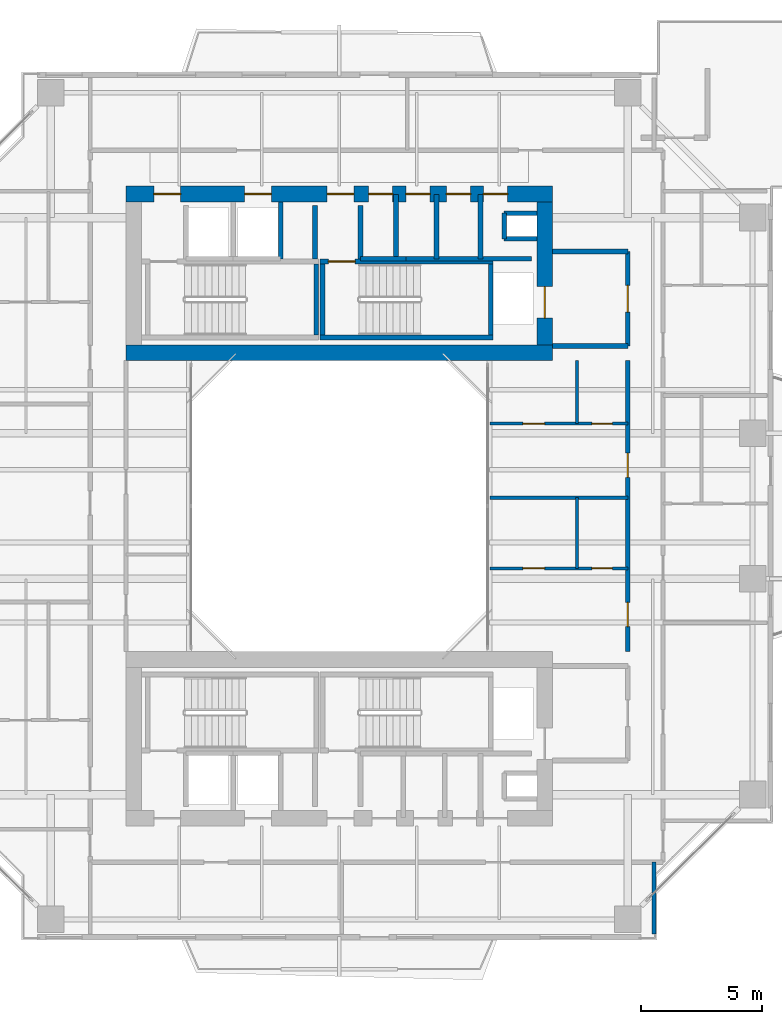
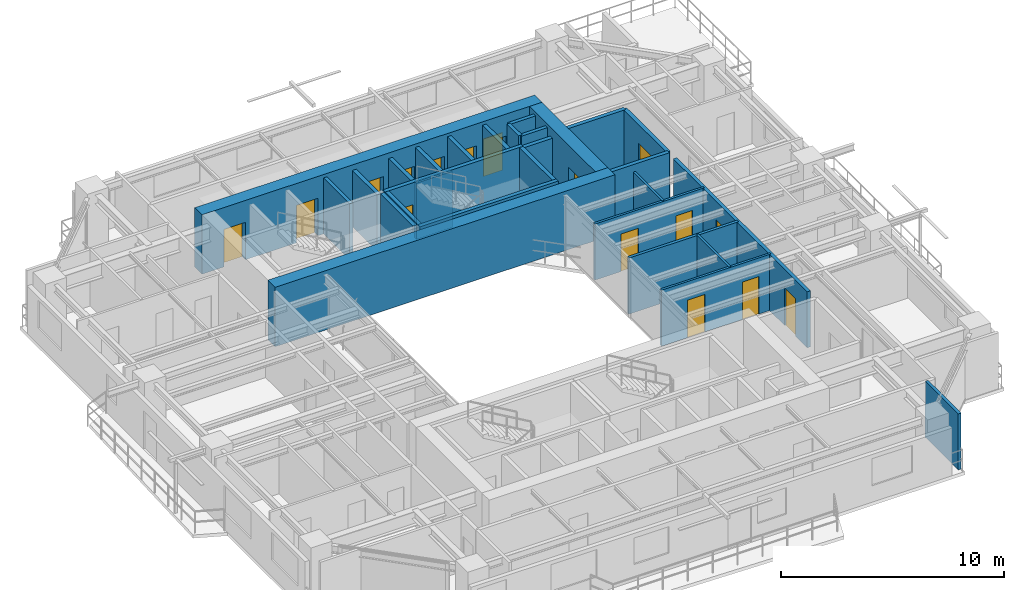
# One storey, part 12 of 17: 29 walls, 16 doors, 16 openings.
"""IFC4 building model written with IfcOpenShell, lengths in metres."""

from ifc_helpers import new_model, si_unit, direction, frame, frame_2d, origin, place, context, subcontext, project, spatial, rectangle, extrude, source, transform, mapped, material, layer, layer_set, type_object, element, fill, save


model = new_model("IFC4")

# Units and contexts
model_context = context("Model", 3, precision=1e-05, world=origin(), true_north=direction((0.0, 1.0)))
body_context = subcontext(model_context, "Body", "Model", "MODEL_VIEW")
ifc_project = project(units=[si_unit("LENGTHUNIT", "METRE"), si_unit("AREAUNIT", "SQUARE_METRE"), si_unit("VOLUMEUNIT", "CUBIC_METRE"), si_unit("PLANEANGLEUNIT", "RADIAN"), si_unit("MASSUNIT", "GRAM", prefix="KILO"), si_unit("THERMODYNAMICTEMPERATUREUNIT", "KELVIN"), si_unit("POWERUNIT", "WATT")], contexts=[model_context])

# Site, building, storey
site_placement = place(None, origin())
site = spatial("IfcSite", under=ifc_project, at=site_placement, CompositionType="ELEMENT")
building_placement = place(site_placement, origin())
building = spatial("IfcBuilding", under=site, at=building_placement, Name="Qiaomeng Ring Towers", CompositionType="ELEMENT")
storey_placement = place(building_placement, frame((0.0, 0.0, 123.0)))
storey = spatial("IfcBuildingStorey", under=building, at=storey_placement, Name="L35", CompositionType="ELEMENT", Elevation=123.0)

# Walls
ifc_material_1 = material(Name="Autoclaved aerated concrete block", Category="concrete")
ifc_layer_1 = layer(ifc_material_1, 0.199951171875, Name="Autoclaved aerated concrete block")
ifc_layer_set_1 = layer_set([ifc_layer_1], Name="Autoclaved aerated concrete block")
wall_type_1 = type_object("IfcWallType", Name="ARC-WL-PW1", PredefinedType="PARTITIONING", material=ifc_layer_set_1)
for number, where, z_axis, x_axis, name in (
    (1, (27.800048828125, 29.60009765625, 0.0), (0.0, 0.0, 1.0), (1.0, 0.0, 0.0), "L35 Interior Wall PW1"),
    (2, (27.800048828125, 33.5, 0.0), (0.0, 0.0, 1.0), (1.0, 0.0, 0.0), "L35 Interior Wall PW1"),
):
    element("IfcWall", number, at=place(storey_placement, frame(where, z_axis=z_axis, x_axis=x_axis)), inside=storey, type_object=wall_type_1, Name=name, PredefinedType="PARTITIONING", context=body_context, shape_type="SweptSolid", body=[
        extrude(rectangle(XDim=3.099853515625, YDim=0.199951171875, at=frame_2d((1.5498046875, 0.0))), origin(), (0.0, 0.0, 1.0), 3.070068359375),
    ])

# Wall, opening, door
wall_1_placement = place(storey_placement, frame((30.89990234375, 29.60009765625, 0.0), z_axis=(0.0, 0.0, 1.0), x_axis=(0.0, 1.0, 0.0)))
wall_1 = element("IfcWall", 3, at=wall_1_placement, inside=storey, type_object=wall_type_1, Name="L35 Interior Wall PW1", PredefinedType="PARTITIONING", context=body_context, shape_type="SweptSolid", body=[
    extrude(rectangle(XDim=3.89990234375, YDim=0.199951171875, at=frame_2d((1.949951171875, 0.0))), origin(), (0.0, 0.0, 1.0), 3.070068359375),
])
opening_1_placement = place(wall_1_placement, frame((1.39990234375, 0.0, 0.0)))
opening_1 = element("IfcOpeningElement", 4, at=opening_1_placement, cuts=wall_1, Name="Opening FD3", PredefinedType="OPENING", context=body_context, shape_type="SweptSolid", body=[
    extrude(rectangle(XDim=1.10009765625, YDim=2.050048828125, at=frame_2d((0.550048828125, 1.02490234375))), frame((0.0, 0.10986328125, 0.0), z_axis=(0.0, -1.0, 0.0), x_axis=(1.0, 0.0, 0.0)), (0.0, 0.0, 1.0), 0.219970703125),
])
ifc_material_2 = material(Name="Galvanised steel", Category="steel")
door_type_1 = type_object("IfcDoorType", Name="ARC-DR-FD3", OperationType="NOTDEFINED", PredefinedType="DOOR", material=ifc_material_2)
shared_shape_1 = source(origin(), body_context, "Body", "SweptSolid", [
    extrude(rectangle(XDim=1.10009765625, YDim=2.050048828125, at=frame_2d((0.550048828125, 1.02490234375))), frame((0.0, 0.02490234375, 0.0), z_axis=(0.0, -1.0, 0.0), x_axis=(1.0, 0.0, 0.0)), (0.0, 0.0, 1.0), 0.050048828125),
])
door_1_placement = place(opening_1_placement, origin())
door_1 = element("IfcDoor", 5, at=door_1_placement, inside=storey, type_object=door_type_1, Name="L35 North FF Lobby Door", OperationType="SINGLE_SWING_RIGHT", OverallHeight=2.050048828125, OverallWidth=1.10009765625, PredefinedType="DOOR", context=body_context, shape_type="MappedRepresentation", body=[
    mapped(shared_shape_1, transform((0.0, 0.0, 0.0), x_axis=(1.0, 0.0, 0.0), y_axis=(0.0, 1.0, 0.0), z_axis=(0.0, 0.0, 1.0), scale=1.0)),
])
fill(opening_1, door_1)

# Walls
for number, where, z_axis, x_axis, name in (
    (6, (18.0, 33.18994140625, 0.0), (0.0, 0.0, 1.0), (0.0, 1.0, 0.0), "L35 Interior Wall PW1"),
    (7, (19.8798828125, 33.18994140625, 0.0), (0.0, 0.0, 1.0), (0.0, 1.0, 0.0), "L35 Interior Wall PW1"),
):
    element("IfcWall", number, at=place(storey_placement, frame(where, z_axis=z_axis, x_axis=x_axis)), inside=storey, type_object=wall_type_1, Name=name, PredefinedType="PARTITIONING", context=body_context, shape_type="SweptSolid", body=[
        extrude(rectangle(XDim=2.2099609375, YDim=0.199951171875, at=frame_2d((1.10498046875, 0.0))), origin(), (0.0, 0.0, 1.0), 3.070068359375),
    ])
wall_2_placement = place(storey_placement, frame((24.820068359375, 33.199951171875, 0.0), z_axis=(0.0, 0.0, 1.0), x_axis=(0.0, 1.0, 0.0)))
element("IfcWall", 8, at=wall_2_placement, inside=storey, type_object=wall_type_1, Name="L35 Interior Wall PW1", PredefinedType="PARTITIONING", context=body_context, shape_type="SweptSolid", body=[
    extrude(rectangle(XDim=2.650146484375, YDim=0.199951171875, at=frame_2d((1.3251953125, 0.0))), origin(), (0.0, 0.0, 1.0), 3.070068359375),
])
wall_3_placement = place(storey_placement, frame((19.8798828125, 33.199951171875, 0.0), z_axis=(0.0, 0.0, 1.0), x_axis=(1.0, 0.0, 0.0)))
element("IfcWall", 9, at=wall_3_placement, inside=storey, type_object=wall_type_1, Name="L35 Interior Wall PW1", PredefinedType="PARTITIONING", context=body_context, shape_type="SweptSolid", body=[
    extrude(rectangle(XDim=1.8701171875, YDim=0.199951171875, at=frame_2d((0.93505859375, 0.0))), origin(), (0.0, 0.0, 1.0), 3.070068359375),
])
for number, where, z_axis, x_axis, name in (
    (10, (21.340087890625, 33.199951171875, 0.0), (0.0, 0.0, 1.0), (0.0, 1.0, 0.0), "L35 Interior Wall PW1"),
    (11, (23.010009765625, 33.199951171875, 0.0), (0.0, 0.0, 1.0), (0.0, 1.0, 0.0), "L35 Interior Wall PW1"),
):
    element("IfcWall", number, at=place(storey_placement, frame(where, z_axis=z_axis, x_axis=x_axis)), inside=storey, type_object=wall_type_1, Name=name, PredefinedType="PARTITIONING", context=body_context, shape_type="SweptSolid", body=[
        extrude(rectangle(XDim=2.650146484375, YDim=0.199951171875, at=frame_2d((1.3251953125, 0.0))), origin(), (0.0, 0.0, 1.0), 3.070068359375),
    ])
wall_4_placement = place(storey_placement, frame((21.75, 33.199951171875, 0.0), z_axis=(0.0, 0.0, 1.0), x_axis=(1.0, 0.0, 0.0)))
element("IfcWall", 12, at=wall_4_placement, inside=storey, type_object=wall_type_1, Name="L35 Interior Wall PW1", PredefinedType="PARTITIONING", context=body_context, shape_type="SweptSolid", body=[
    extrude(rectangle(XDim=5.169921875, YDim=0.199951171875, at=frame_2d((2.5849609375, 0.0))), origin(), (0.0, 0.0, 1.0), 3.070068359375),
])

# Wall, openings, doors
ifc_layer_2 = layer(ifc_material_1, 0.179931640625, Name="Autoclaved aerated concrete block")
ifc_layer_set_2 = layer_set([ifc_layer_2], Name="Autoclaved aerated concrete block")
wall_type_2 = type_object("IfcWallType", Name="ARC-WL-PW2", PredefinedType="PARTITIONING", material=ifc_layer_set_2)
wall_5_placement = place(storey_placement, frame((30.89990234375, 17.0, 0.0), z_axis=(0.0, 0.0, 1.0), x_axis=(0.0, 1.0, 0.0)))
wall_5 = element("IfcWall", 13, at=wall_5_placement, inside=storey, type_object=wall_type_2, Name="L35 Interior Wall PW2", PredefinedType="PARTITIONING", context=body_context, shape_type="SweptSolid", body=[
    extrude(rectangle(XDim=12.0, YDim=0.179931640625, at=frame_2d((6.0, 0.0))), origin(), (0.0, 0.0, 1.0), 3.070068359375),
])
opening_2_placement = place(wall_5_placement, frame((1.02490234375, 0.0, 0.0)))
opening_2 = element("IfcOpeningElement", 14, at=opening_2_placement, cuts=wall_5, Name="Opening FD4", PredefinedType="OPENING", context=body_context, shape_type="SweptSolid", body=[
    extrude(rectangle(XDim=1.0, YDim=2.050048828125, at=frame_2d((0.5, 1.02490234375))), frame((0.0, 0.099853515625, 0.0), z_axis=(0.0, -1.0, 0.0), x_axis=(1.0, 0.0, 0.0)), (0.0, 0.0, 1.0), 0.199951171875),
])
opening_3_placement = place(wall_5_placement, frame((7.18505859375, 0.0, 0.0)))
opening_3 = element("IfcOpeningElement", 15, at=opening_3_placement, cuts=wall_5, Name="Opening FD4", PredefinedType="OPENING", context=body_context, shape_type="SweptSolid", body=[
    extrude(rectangle(XDim=1.0, YDim=2.050048828125, at=frame_2d((0.5, 1.02490234375))), frame((0.0, 0.099853515625, 0.0), z_axis=(0.0, -1.0, 0.0), x_axis=(1.0, 0.0, 0.0)), (0.0, 0.0, 1.0), 0.199951171875),
])
ifc_material_3 = material(Name="Engineered fire-rated oak timber", Category="wood")
door_type_2 = type_object("IfcDoorType", Name="ARC-DR-FD4", OperationType="NOTDEFINED", PredefinedType="DOOR", material=ifc_material_3)
shared_shape_2 = source(origin(), body_context, "Body", "SweptSolid", [
    extrude(rectangle(XDim=1.0, YDim=2.050048828125, at=frame_2d((0.5, 1.02490234375))), frame((0.0, 0.02490234375, 0.0), z_axis=(0.0, -1.0, 0.0), x_axis=(1.0, 0.0, 0.0)), (0.0, 0.0, 1.0), 0.050048828125),
])
door_2_placement = place(opening_2_placement, origin())
door_2 = element("IfcDoor", 16, at=door_2_placement, inside=storey, type_object=door_type_2, Name="L35 Door FD4", OperationType="SINGLE_SWING_RIGHT", OverallHeight=2.050048828125, OverallWidth=1.0, PredefinedType="DOOR", context=body_context, shape_type="MappedRepresentation", body=[
    mapped(shared_shape_2, transform((0.0, 0.0, 0.0), x_axis=(1.0, 0.0, 0.0), y_axis=(0.0, 1.0, 0.0), z_axis=(0.0, 0.0, 1.0), scale=1.0)),
])
fill(opening_2, door_2)
door_3_placement = place(opening_3_placement, origin())
door_3 = element("IfcDoor", 17, at=door_3_placement, inside=storey, type_object=door_type_2, Name="L35 Door FD4", OperationType="SINGLE_SWING_LEFT", OverallHeight=2.050048828125, OverallWidth=1.0, PredefinedType="DOOR", context=body_context, shape_type="MappedRepresentation", body=[
    mapped(shared_shape_2, transform((0.0, 0.0, 0.0), x_axis=(1.0, 0.0, 0.0), y_axis=(0.0, 1.0, 0.0), z_axis=(0.0, 0.0, 1.0), scale=1.0)),
])
fill(opening_3, door_3)

# Walls
ifc_material_4 = material(Name="Gypsum fireboard steel-stud partition", Category="steel")
ifc_layer_3 = layer(ifc_material_4, 0.14990234375, Name="Gypsum fireboard steel-stud partition")
ifc_layer_set_3 = layer_set([ifc_layer_3], Name="Gypsum fireboard steel-stud partition")
wall_type_3 = type_object("IfcWallType", Name="ARC-WL-PW3", PredefinedType="PARTITIONING", material=ifc_layer_set_3)
wall_6_placement = place(storey_placement, frame((31.97998046875, 5.35009765625, 0.0), z_axis=(0.0, 0.0, 1.0), x_axis=(0.0, 1.0, 0.0)))
element("IfcWall", 18, at=wall_6_placement, inside=storey, type_object=wall_type_3, Name="L35 Interior Wall PW3", PredefinedType="PARTITIONING", context=body_context, shape_type="SweptSolid", body=[
    extrude(rectangle(XDim=2.9599609375, YDim=0.14990234375, at=frame_2d((1.47998046875, 0.0))), origin(), (0.0, 0.0, 1.0), 3.070068359375),
])
wall_7_placement = place(storey_placement, frame((25.219970703125, 23.35009765625, 0.0), z_axis=(0.0, 0.0, 1.0), x_axis=(1.0, 0.0, 0.0)))
element("IfcWall", 19, at=wall_7_placement, inside=storey, type_object=wall_type_3, Name="L35 Interior Wall PW3", PredefinedType="PARTITIONING", context=body_context, shape_type="SweptSolid", body=[
    extrude(rectangle(XDim=5.679931640625, YDim=0.14990234375, at=frame_2d((2.83984375, 0.0))), origin(), (0.0, 0.0, 1.0), 3.070068359375),
])

# Wall, openings, doors
ifc_material_5 = material(Name="Moisture-resistant gypsum steel-stud partition", Category="steel")
ifc_layer_4 = layer(ifc_material_5, 0.1201171875, Name="Moisture-resistant gypsum steel-stud partition")
ifc_layer_set_4 = layer_set([ifc_layer_4], Name="Moisture-resistant gypsum steel-stud partition")
wall_type_4 = type_object("IfcWallType", Name="ARC-WL-PW4", PredefinedType="PLUMBINGWALL", material=ifc_layer_set_4)
wall_8_placement = place(storey_placement, frame((25.219970703125, 20.429931640625, 0.0), z_axis=(0.0, 0.0, 1.0), x_axis=(1.0, 0.0, 0.0)))
wall_8 = element("IfcWall", 20, at=wall_8_placement, inside=storey, type_object=wall_type_4, Name="L35 Interior Wall PW4", PredefinedType="PLUMBINGWALL", context=body_context, shape_type="SweptSolid", body=[
    extrude(rectangle(XDim=5.679931640625, YDim=0.1201171875, at=frame_2d((2.83984375, 0.0))), origin(), (0.0, 0.0, 1.0), 3.070068359375),
])
opening_4_placement = place(wall_8_placement, frame((1.35009765625, 0.0, 0.0)))
opening_4 = element("IfcOpeningElement", 21, at=opening_4_placement, cuts=wall_8, Name="Opening ID1", PredefinedType="OPENING", context=body_context, shape_type="SweptSolid", body=[
    extrude(rectangle(XDim=0.89990234375, YDim=2.050048828125, at=frame_2d((0.449951171875, 1.02490234375))), frame((0.0, 0.070068359375, 0.0), z_axis=(0.0, -1.0, 0.0), x_axis=(1.0, 0.0, 0.0)), (0.0, 0.0, 1.0), 0.14013671875),
])
opening_5_placement = place(wall_8_placement, frame((4.195068359375, 0.0, 0.0)))
opening_5 = element("IfcOpeningElement", 22, at=opening_5_placement, cuts=wall_8, Name="Opening ID2", PredefinedType="OPENING", context=body_context, shape_type="SweptSolid", body=[
    extrude(rectangle(XDim=0.85009765625, YDim=2.050048828125, at=frame_2d((0.425048828125, 1.02490234375))), frame((0.0, 0.070068359375, 0.0), z_axis=(0.0, -1.0, 0.0), x_axis=(1.0, 0.0, 0.0)), (0.0, 0.0, 1.0), 0.14013671875),
])
ifc_material_6 = material(Name="Moisture-resistant engineered timber", Category="wood")
door_type_3 = type_object("IfcDoorType", Name="ARC-DR-ID2", OperationType="NOTDEFINED", PredefinedType="DOOR", material=ifc_material_6)
shared_shape_3 = source(origin(), body_context, "Body", "SweptSolid", [
    extrude(rectangle(XDim=0.85009765625, YDim=2.050048828125, at=frame_2d((0.425048828125, 1.02490234375))), frame((0.0, 0.02490234375, 0.0), z_axis=(0.0, -1.0, 0.0), x_axis=(1.0, 0.0, 0.0)), (0.0, 0.0, 1.0), 0.050048828125),
])
door_4_placement = place(opening_5_placement, origin())
door_4 = element("IfcDoor", 23, at=door_4_placement, inside=storey, type_object=door_type_3, Name="L35 Door ID2", OperationType="SINGLE_SWING_LEFT", OverallHeight=2.050048828125, OverallWidth=0.85009765625, PredefinedType="DOOR", context=body_context, shape_type="MappedRepresentation", body=[
    mapped(shared_shape_3, transform((0.0, 0.0, 0.0), x_axis=(1.0, 0.0, 0.0), y_axis=(0.0, 1.0, 0.0), z_axis=(0.0, 0.0, 1.0), scale=1.0)),
])
fill(opening_5, door_4)
ifc_material_7 = material(Name="Engineered oak timber", Category="wood")
door_type_4 = type_object("IfcDoorType", Name="ARC-DR-ID1", OperationType="NOTDEFINED", PredefinedType="DOOR", material=ifc_material_7)
shared_shape_4 = source(origin(), body_context, "Body", "SweptSolid", [
    extrude(rectangle(XDim=0.89990234375, YDim=2.050048828125, at=frame_2d((0.449951171875, 1.02490234375))), frame((0.0, 0.02490234375, 0.0), z_axis=(0.0, -1.0, 0.0), x_axis=(1.0, 0.0, 0.0)), (0.0, 0.0, 1.0), 0.050048828125),
])
door_5_placement = place(opening_4_placement, origin())
door_5 = element("IfcDoor", 24, at=door_5_placement, inside=storey, type_object=door_type_4, Name="L35 Door ID1", OperationType="SINGLE_SWING_RIGHT", OverallHeight=2.050048828125, OverallWidth=0.89990234375, PredefinedType="DOOR", context=body_context, shape_type="MappedRepresentation", body=[
    mapped(shared_shape_4, transform((0.0, 0.0, 0.0), x_axis=(1.0, 0.0, 0.0), y_axis=(0.0, 1.0, 0.0), z_axis=(0.0, 0.0, 1.0), scale=1.0)),
])
fill(opening_4, door_5)

# Wall
wall_9_placement = place(storey_placement, frame((28.800048828125, 20.429931640625, 0.0), z_axis=(0.0, 0.0, 1.0), x_axis=(0.0, 1.0, 0.0)))
element("IfcWall", 25, at=wall_9_placement, inside=storey, type_object=wall_type_4, Name="L35 Interior Wall PW4", PredefinedType="PLUMBINGWALL", context=body_context, shape_type="SweptSolid", body=[
    extrude(rectangle(XDim=2.920166015625, YDim=0.1201171875, at=frame_2d((1.4599609375, 0.0))), origin(), (0.0, 0.0, 1.0), 3.070068359375),
])

# Wall, openings, doors
wall_10_placement = place(storey_placement, frame((25.219970703125, 26.39990234375, 0.0), z_axis=(0.0, 0.0, 1.0), x_axis=(1.0, 0.0, 0.0)))
wall_10 = element("IfcWall", 26, at=wall_10_placement, inside=storey, type_object=wall_type_4, Name="L35 Interior Wall PW4", PredefinedType="PLUMBINGWALL", context=body_context, shape_type="SweptSolid", body=[
    extrude(rectangle(XDim=5.679931640625, YDim=0.1201171875, at=frame_2d((2.83984375, 0.0))), origin(), (0.0, 0.0, 1.0), 3.070068359375),
])
opening_6_placement = place(wall_10_placement, frame((1.35009765625, 0.0, 0.0)))
opening_6 = element("IfcOpeningElement", 27, at=opening_6_placement, cuts=wall_10, Name="Opening ID1", PredefinedType="OPENING", context=body_context, shape_type="SweptSolid", body=[
    extrude(rectangle(XDim=0.89990234375, YDim=2.050048828125, at=frame_2d((0.449951171875, 1.02490234375))), frame((0.0, 0.070068359375, 0.0), z_axis=(0.0, -1.0, 0.0), x_axis=(1.0, 0.0, 0.0)), (0.0, 0.0, 1.0), 0.14013671875),
])
opening_7_placement = place(wall_10_placement, frame((4.195068359375, 0.0, 0.0)))
opening_7 = element("IfcOpeningElement", 28, at=opening_7_placement, cuts=wall_10, Name="Opening ID2", PredefinedType="OPENING", context=body_context, shape_type="SweptSolid", body=[
    extrude(rectangle(XDim=0.85009765625, YDim=2.050048828125, at=frame_2d((0.425048828125, 1.02490234375))), frame((0.0, 0.070068359375, 0.0), z_axis=(0.0, -1.0, 0.0), x_axis=(1.0, 0.0, 0.0)), (0.0, 0.0, 1.0), 0.14013671875),
])
door_6_placement = place(opening_7_placement, origin())
door_6 = element("IfcDoor", 29, at=door_6_placement, inside=storey, type_object=door_type_3, Name="L35 Door ID2", OperationType="SINGLE_SWING_LEFT", OverallHeight=2.050048828125, OverallWidth=0.85009765625, PredefinedType="DOOR", context=body_context, shape_type="MappedRepresentation", body=[
    mapped(shared_shape_3, transform((0.0, 0.0, 0.0), x_axis=(1.0, 0.0, 0.0), y_axis=(0.0, 1.0, 0.0), z_axis=(0.0, 0.0, 1.0), scale=1.0)),
])
fill(opening_7, door_6)
door_7_placement = place(opening_6_placement, origin())
door_7 = element("IfcDoor", 30, at=door_7_placement, inside=storey, type_object=door_type_4, Name="L35 Door ID1", OperationType="SINGLE_SWING_RIGHT", OverallHeight=2.050048828125, OverallWidth=0.89990234375, PredefinedType="DOOR", context=body_context, shape_type="MappedRepresentation", body=[
    mapped(shared_shape_4, transform((0.0, 0.0, 0.0), x_axis=(1.0, 0.0, 0.0), y_axis=(0.0, 1.0, 0.0), z_axis=(0.0, 0.0, 1.0), scale=1.0)),
])
fill(opening_6, door_7)

# Walls
wall_11_placement = place(storey_placement, frame((28.800048828125, 26.39990234375, 0.0), z_axis=(0.0, 0.0, 1.0), x_axis=(0.0, 1.0, 0.0)))
element("IfcWall", 31, at=wall_11_placement, inside=storey, type_object=wall_type_4, Name="L35 Interior Wall PW4", PredefinedType="PLUMBINGWALL", context=body_context, shape_type="SweptSolid", body=[
    extrude(rectangle(XDim=2.60009765625, YDim=0.1201171875, at=frame_2d((1.300048828125, 0.0))), origin(), (0.0, 0.0, 1.0), 3.070068359375),
])
ifc_material_8 = material(Name="Concrete C40", Category="concrete")
ifc_layer_5 = layer(ifc_material_8, 0.199951171875, Name="Concrete C40")
ifc_layer_set_5 = layer_set([ifc_layer_5], Name="Concrete C40")
wall_type_5 = type_object("IfcWallType", Name="STR-WL-STSHAFT", PredefinedType="SHEAR", material=ifc_layer_set_5)
wall_12_placement = place(storey_placement, frame((25.800048828125, 34.02001953125, 0.0), z_axis=(0.0, 0.0, 1.0), x_axis=(0.0, 1.0, 0.0)))
element("IfcWall", 32, at=wall_12_placement, inside=storey, type_object=wall_type_5, Name="L35 Riser RSR1 West Shaft Wall N", PredefinedType="SHEAR", context=body_context, shape_type="SweptSolid", body=[
    extrude(rectangle(XDim=1.06005859375, YDim=0.179931640625, at=frame_2d((0.530029296875, 0.0))), origin(), (0.0, 0.0, 1.0), 3.070068359375),
])
for number, where, z_axis, x_axis, name in (
    (33, (25.800048828125, 35.080078125, 0.0), (0.0, 0.0, 1.0), (1.0, 0.0, 0.0), "L35 Riser RSR1 North Shaft Wall N"),
    (34, (25.800048828125, 34.02001953125, 0.0), (0.0, 0.0, 1.0), (1.0, 0.0, 0.0), "L35 Riser RSR1 South Shaft Wall N"),
):
    element("IfcWall", number, at=place(storey_placement, frame(where, z_axis=z_axis, x_axis=x_axis)), inside=storey, type_object=wall_type_5, Name=name, PredefinedType="SHEAR", context=body_context, shape_type="SweptSolid", body=[
        extrude(rectangle(XDim=1.349853515625, YDim=0.179931640625, at=frame_2d((0.6748046875, 0.0))), origin(), (0.0, 0.0, 1.0), 3.070068359375),
    ])
wall_13_placement = place(storey_placement, frame((16.580078125, 33.199951171875, 0.0), z_axis=(0.0, 0.0, 1.0), x_axis=(0.0, 1.0, 0.0)))
element("IfcWall", 35, at=wall_13_placement, inside=storey, type_object=wall_type_5, Name="L35 Lift LP3 East Shaft Wall", PredefinedType="SHEAR", context=body_context, shape_type="SweptSolid", body=[
    extrude(rectangle(XDim=2.35009765625, YDim=0.179931640625, at=frame_2d((1.175048828125, 0.0))), origin(), (0.0, 0.0, 1.0), 3.070068359375),
])
wall_14_placement = place(storey_placement, frame((18.050048828125, 30.050048828125, 0.0), z_axis=(0.0, 0.0, 1.0), x_axis=(0.0, 1.0, 0.0)))
element("IfcWall", 36, at=wall_14_placement, inside=storey, type_object=wall_type_5, Name="L35 Stair ST1 East Shaft Shear Wall", PredefinedType="SHEAR", context=body_context, shape_type="SweptSolid", body=[
    extrude(rectangle(XDim=2.93994140625, YDim=0.199951171875, at=frame_2d((1.469970703125, 0.0))), origin(), (0.0, 0.0, 1.0), 3.25),
])
wall_15_placement = place(storey_placement, frame((18.199951171875, 29.949951171875, 0.0), z_axis=(0.0, 0.0, 1.0), x_axis=(1.0, 0.0, 0.0)))
element("IfcWall", 37, at=wall_15_placement, inside=storey, type_object=wall_type_5, Name="L35 Stair ST2 South Shaft Shear Wall", PredefinedType="SHEAR", context=body_context, shape_type="SweptSolid", body=[
    extrude(rectangle(XDim=7.150146484375, YDim=0.199951171875, at=frame_2d((3.5751953125, 0.0))), origin(), (0.0, 0.0, 1.0), 3.25),
])

# Wall, opening, door
wall_16_placement = place(storey_placement, frame((18.199951171875, 33.090087890625, 0.0), z_axis=(0.0, 0.0, 1.0), x_axis=(1.0, 0.0, 0.0)))
wall_16 = element("IfcWall", 38, at=wall_16_placement, inside=storey, type_object=wall_type_5, Name="L35 Stair ST2 North Shaft Shear Wall", PredefinedType="SHEAR", context=body_context, shape_type="SweptSolid", body=[
    extrude(rectangle(XDim=7.150146484375, YDim=0.199951171875, at=frame_2d((3.5751953125, 0.0))), origin(), (0.0, 0.0, 1.0), 3.25),
])
opening_8_placement = place(wall_16_placement, frame((0.35009765625, 0.0, 0.0)))
opening_8 = element("IfcOpeningElement", 39, at=opening_8_placement, cuts=wall_16, Name="Opening FD3", PredefinedType="OPENING", context=body_context, shape_type="SweptSolid", body=[
    extrude(rectangle(XDim=1.10009765625, YDim=2.050048828125, at=frame_2d((0.550048828125, 1.02490234375))), frame((0.0, 0.10986328125, 0.0), z_axis=(0.0, -1.0, 0.0), x_axis=(1.0, 0.0, 0.0)), (0.0, 0.0, 1.0), 0.219970703125),
])
door_8_placement = place(opening_8_placement, origin())
door_8 = element("IfcDoor", 40, at=door_8_placement, inside=storey, type_object=door_type_1, Name="L35 Stair ST2 Exit Door", OperationType="SINGLE_SWING_LEFT", OverallHeight=2.050048828125, OverallWidth=1.10009765625, PredefinedType="DOOR", context=body_context, shape_type="MappedRepresentation", body=[
    mapped(shared_shape_1, transform((0.0, 0.0, 0.0), x_axis=(1.0, 0.0, 0.0), y_axis=(0.0, 1.0, 0.0), z_axis=(0.0, 0.0, 1.0), scale=1.0)),
])
fill(opening_8, door_8)

# Walls
for number, where, z_axis, x_axis, name in (
    (41, (18.300048828125, 30.050048828125, 0.0), (0.0, 0.0, 1.0), (0.0, 1.0, 0.0), "L35 Stair ST2 West Shaft Shear Wall"),
    (42, (25.25, 30.050048828125, 0.0), (0.0, 0.0, 1.0), (0.0, 1.0, 0.0), "L35 Stair ST2 East Shaft Shear Wall"),
):
    element("IfcWall", number, at=place(storey_placement, frame(where, z_axis=z_axis, x_axis=x_axis)), inside=storey, type_object=wall_type_5, Name=name, PredefinedType="SHEAR", context=body_context, shape_type="SweptSolid", body=[
        extrude(rectangle(XDim=2.93994140625, YDim=0.199951171875, at=frame_2d((1.469970703125, 0.0))), origin(), (0.0, 0.0, 1.0), 3.25),
    ])
ifc_material_9 = material(Name="Concrete C55", Category="concrete")
ifc_layer_6 = layer(ifc_material_9, 0.64990234375, Name="Concrete C55")
ifc_layer_set_6 = layer_set([ifc_layer_6], Name="Concrete C55")
wall_type_6 = type_object("IfcWallType", Name="STR-WL-SW2A", PredefinedType="SHEAR", material=ifc_layer_set_6)
wall_17_placement = place(storey_placement, frame((10.199951171875, 29.324951171875, 0.0), z_axis=(0.0, 0.0, 1.0), x_axis=(1.0, 0.0, 0.0)))
element("IfcWall", 43, at=wall_17_placement, inside=storey, type_object=wall_type_6, Name="L35 T1NC south core shear wall", PredefinedType="SHEAR", context=body_context, shape_type="SweptSolid", body=[
    extrude(rectangle(XDim=17.60009765625, YDim=0.64990234375, at=frame_2d((8.800048828125, 0.0))), origin(), (0.0, 0.0, 1.0), 3.25),
])

# Wall, openings, doors
wall_18_placement = place(storey_placement, frame((10.199951171875, 35.875, 0.0), z_axis=(0.0, 0.0, 1.0), x_axis=(1.0, 0.0, 0.0)))
wall_18 = element("IfcWall", 44, at=wall_18_placement, inside=storey, type_object=wall_type_6, Name="L35 T1NC north core shear wall", PredefinedType="SHEAR", context=body_context, shape_type="SweptSolid", body=[
    extrude(rectangle(XDim=17.60009765625, YDim=0.64990234375, at=frame_2d((8.800048828125, 0.0))), origin(), (0.0, 0.0, 1.0), 3.25),
])
opening_9_placement = place(wall_18_placement, frame((1.14990234375, 0.0, 0.0)))
opening_9 = element("IfcOpeningElement", 45, at=opening_9_placement, cuts=wall_18, Name="Opening FD3", PredefinedType="OPENING", context=body_context, shape_type="SweptSolid", body=[
    extrude(rectangle(XDim=1.10009765625, YDim=2.050048828125, at=frame_2d((0.550048828125, 1.02490234375))), frame((0.0, 0.3349609375, 0.0), z_axis=(0.0, -1.0, 0.0), x_axis=(1.0, 0.0, 0.0)), (0.0, 0.0, 1.0), 0.669921875),
])
opening_10_placement = place(wall_18_placement, frame((8.300048828125, 0.0, 0.0)))
opening_10 = element("IfcOpeningElement", 46, at=opening_10_placement, cuts=wall_18, Name="Opening FD3", PredefinedType="OPENING", context=body_context, shape_type="SweptSolid", body=[
    extrude(rectangle(XDim=1.10009765625, YDim=2.050048828125, at=frame_2d((0.550048828125, 1.02490234375))), frame((0.0, 0.3349609375, 0.0), z_axis=(0.0, -1.0, 0.0), x_axis=(1.0, 0.0, 0.0)), (0.0, 0.0, 1.0), 0.669921875),
])
opening_11_placement = place(wall_18_placement, frame((4.89990234375, 0.0, 0.0)))
opening_11 = element("IfcOpeningElement", 47, at=opening_11_placement, cuts=wall_18, Name="Opening LD1", PredefinedType="OPENING", context=body_context, shape_type="SweptSolid", body=[
    extrude(rectangle(XDim=1.10009765625, YDim=2.050048828125, at=frame_2d((0.550048828125, 1.02490234375))), frame((0.0, 0.3349609375, 0.0), z_axis=(0.0, -1.0, 0.0), x_axis=(1.0, 0.0, 0.0)), (0.0, 0.0, 1.0), 0.669921875),
])
opening_12_placement = place(wall_18_placement, frame((14.739990234375, 0.0, 0.0)))
opening_12 = element("IfcOpeningElement", 48, at=opening_12_placement, cuts=wall_18, Name="Opening FD1", PredefinedType="OPENING", context=body_context, shape_type="SweptSolid", body=[
    extrude(rectangle(XDim=1.0, YDim=2.050048828125, at=frame_2d((0.5, 1.02490234375))), frame((0.0, 0.3349609375, 0.0), z_axis=(0.0, -1.0, 0.0), x_axis=(1.0, 0.0, 0.0)), (0.0, 0.0, 1.0), 0.669921875),
])
opening_13_placement = place(wall_18_placement, frame((10.0048828125, 0.0, 0.0)))
opening_13 = element("IfcOpeningElement", 49, at=opening_13_placement, cuts=wall_18, Name="Opening FD1", PredefinedType="OPENING", context=body_context, shape_type="SweptSolid", body=[
    extrude(rectangle(XDim=1.0, YDim=2.050048828125, at=frame_2d((0.5, 1.02490234375))), frame((0.0, 0.3349609375, 0.0), z_axis=(0.0, -1.0, 0.0), x_axis=(1.0, 0.0, 0.0)), (0.0, 0.0, 1.0), 0.669921875),
])
opening_14_placement = place(wall_18_placement, frame((11.550048828125, 0.0, 0.0)))
opening_14 = element("IfcOpeningElement", 50, at=opening_14_placement, cuts=wall_18, Name="Opening FD1", PredefinedType="OPENING", context=body_context, shape_type="SweptSolid", body=[
    extrude(rectangle(XDim=1.0, YDim=2.050048828125, at=frame_2d((0.5, 1.02490234375))), frame((0.0, 0.3349609375, 0.0), z_axis=(0.0, -1.0, 0.0), x_axis=(1.0, 0.0, 0.0)), (0.0, 0.0, 1.0), 0.669921875),
])
opening_15_placement = place(wall_18_placement, frame((13.215087890625, 0.0, 0.0)))
opening_15 = element("IfcOpeningElement", 51, at=opening_15_placement, cuts=wall_18, Name="Opening FD1", PredefinedType="OPENING", context=body_context, shape_type="SweptSolid", body=[
    extrude(rectangle(XDim=1.0, YDim=2.050048828125, at=frame_2d((0.5, 1.02490234375))), frame((0.0, 0.3349609375, 0.0), z_axis=(0.0, -1.0, 0.0), x_axis=(1.0, 0.0, 0.0)), (0.0, 0.0, 1.0), 0.669921875),
])
door_9_placement = place(opening_9_placement, origin())
door_9 = element("IfcDoor", 52, at=door_9_placement, inside=storey, type_object=door_type_1, Name="L35 Stair ST1 Lobby Door", OperationType="SINGLE_SWING_RIGHT", OverallHeight=2.050048828125, OverallWidth=1.10009765625, PredefinedType="DOOR", context=body_context, shape_type="MappedRepresentation", body=[
    mapped(shared_shape_1, transform((0.0, 0.0, 0.0), x_axis=(1.0, 0.0, 0.0), y_axis=(0.0, 1.0, 0.0), z_axis=(0.0, 0.0, 1.0), scale=1.0)),
])
fill(opening_9, door_9)
door_10_placement = place(opening_10_placement, origin())
door_10 = element("IfcDoor", 53, at=door_10_placement, inside=storey, type_object=door_type_1, Name="L35 Stair ST2 Lobby Door", OperationType="SINGLE_SWING_RIGHT", OverallHeight=2.050048828125, OverallWidth=1.10009765625, PredefinedType="DOOR", context=body_context, shape_type="MappedRepresentation", body=[
    mapped(shared_shape_1, transform((0.0, 0.0, 0.0), x_axis=(1.0, 0.0, 0.0), y_axis=(0.0, 1.0, 0.0), z_axis=(0.0, 0.0, 1.0), scale=1.0)),
])
fill(opening_10, door_10)
ifc_material_10 = material(Name="Stainless steel 316", Category="steel")
door_type_5 = type_object("IfcDoorType", Name="ARC-DR-LD1", OperationType="NOTDEFINED", PredefinedType="DOOR", material=ifc_material_10)
door_11_placement = place(opening_11_placement, origin())
door_11 = element("IfcDoor", 54, at=door_11_placement, inside=storey, type_object=door_type_5, Name="L35 Mid-Zone Lift LP3 Landing Door", OperationType="SLIDING_TO_LEFT", OverallHeight=2.050048828125, OverallWidth=1.10009765625, PredefinedType="DOOR", context=body_context, shape_type="MappedRepresentation", body=[
    mapped(shared_shape_1, transform((0.0, 0.0, 0.0), x_axis=(1.0, 0.0, 0.0), y_axis=(0.0, 1.0, 0.0), z_axis=(0.0, 0.0, 1.0), scale=1.0)),
])
fill(opening_11, door_11)
door_type_6 = type_object("IfcDoorType", Name="ARC-DR-FD1", OperationType="NOTDEFINED", PredefinedType="DOOR", material=ifc_material_2)
door_12_placement = place(opening_12_placement, origin())
door_12 = element("IfcDoor", 55, at=door_12_placement, inside=storey, type_object=door_type_6, Name="L35 North Electrical Riser Door", OperationType="SINGLE_SWING_RIGHT", OverallHeight=2.050048828125, OverallWidth=1.0, PredefinedType="DOOR", context=body_context, shape_type="MappedRepresentation", body=[
    mapped(shared_shape_2, transform((0.0, 0.0, 0.0), x_axis=(1.0, 0.0, 0.0), y_axis=(0.0, 1.0, 0.0), z_axis=(0.0, 0.0, 1.0), scale=1.0)),
])
fill(opening_12, door_12)
door_13_placement = place(opening_13_placement, origin())
door_13 = element("IfcDoor", 56, at=door_13_placement, inside=storey, type_object=door_type_6, Name="L35 North Cleaners Cupboard Door", OperationType="SINGLE_SWING_RIGHT", OverallHeight=2.050048828125, OverallWidth=1.0, PredefinedType="DOOR", context=body_context, shape_type="MappedRepresentation", body=[
    mapped(shared_shape_2, transform((0.0, 0.0, 0.0), x_axis=(1.0, 0.0, 0.0), y_axis=(0.0, 1.0, 0.0), z_axis=(0.0, 0.0, 1.0), scale=1.0)),
])
fill(opening_13, door_13)
door_14_placement = place(opening_14_placement, origin())
door_14 = element("IfcDoor", 57, at=door_14_placement, inside=storey, type_object=door_type_6, Name="L35 North Staff Tea Pantry Door", OperationType="SINGLE_SWING_LEFT", OverallHeight=2.050048828125, OverallWidth=1.0, PredefinedType="DOOR", context=body_context, shape_type="MappedRepresentation", body=[
    mapped(shared_shape_2, transform((0.0, 0.0, 0.0), x_axis=(1.0, 0.0, 0.0), y_axis=(0.0, 1.0, 0.0), z_axis=(0.0, 0.0, 1.0), scale=1.0)),
])
fill(opening_14, door_14)
door_15_placement = place(opening_15_placement, origin())
door_15 = element("IfcDoor", 58, at=door_15_placement, inside=storey, type_object=door_type_6, Name="L35 North Records Study Door", OperationType="SINGLE_SWING_RIGHT", OverallHeight=2.050048828125, OverallWidth=1.0, PredefinedType="DOOR", context=body_context, shape_type="MappedRepresentation", body=[
    mapped(shared_shape_2, transform((0.0, 0.0, 0.0), x_axis=(1.0, 0.0, 0.0), y_axis=(0.0, 1.0, 0.0), z_axis=(0.0, 0.0, 1.0), scale=1.0)),
])
fill(opening_15, door_15)

# Wall, opening, door
wall_19_placement = place(storey_placement, frame((27.47509765625, 29.64990234375, 0.0), z_axis=(0.0, 0.0, 1.0), x_axis=(0.0, 1.0, 0.0)))
wall_19 = element("IfcWall", 59, at=wall_19_placement, inside=storey, type_object=wall_type_6, Name="L35 T1NC east core shear wall", PredefinedType="SHEAR", context=body_context, shape_type="SweptSolid", body=[
    extrude(rectangle(XDim=5.900146484375, YDim=0.64990234375, at=frame_2d((2.9501953125, 0.0))), origin(), (0.0, 0.0, 1.0), 3.25),
])
opening_16_placement = place(wall_19_placement, frame((1.10009765625, 0.0, 0.0)))
opening_16 = element("IfcOpeningElement", 60, at=opening_16_placement, cuts=wall_19, Name="Opening LD2", PredefinedType="OPENING", context=body_context, shape_type="SweptSolid", body=[
    extrude(rectangle(XDim=1.300048828125, YDim=2.050048828125, at=frame_2d((0.64990234375, 1.02490234375))), frame((0.0, 0.3349609375, 0.0), z_axis=(0.0, -1.0, 0.0), x_axis=(1.0, 0.0, 0.0)), (0.0, 0.0, 1.0), 0.669921875),
])
door_type_7 = type_object("IfcDoorType", Name="ARC-DR-LD2", OperationType="NOTDEFINED", PredefinedType="DOOR", material=ifc_material_10)
shared_shape_5 = source(origin(), body_context, "Body", "SweptSolid", [
    extrude(rectangle(XDim=1.300048828125, YDim=2.050048828125, at=frame_2d((0.64990234375, 1.02490234375))), frame((0.0, 0.02490234375, 0.0), z_axis=(0.0, -1.0, 0.0), x_axis=(1.0, 0.0, 0.0)), (0.0, 0.0, 1.0), 0.050048828125),
])
door_16_placement = place(opening_16_placement, origin())
door_16 = element("IfcDoor", 61, at=door_16_placement, inside=storey, type_object=door_type_7, Name="L35 Firefighting Lift FL1 Landing Door", OperationType="SLIDING_TO_LEFT", OverallHeight=2.050048828125, OverallWidth=1.300048828125, PredefinedType="DOOR", context=body_context, shape_type="MappedRepresentation", body=[
    mapped(shared_shape_5, transform((0.0, 0.0, 0.0), x_axis=(1.0, 0.0, 0.0), y_axis=(0.0, 1.0, 0.0), z_axis=(0.0, 0.0, 1.0), scale=1.0)),
])
fill(opening_16, door_16)

save(model, "model.ifc")
